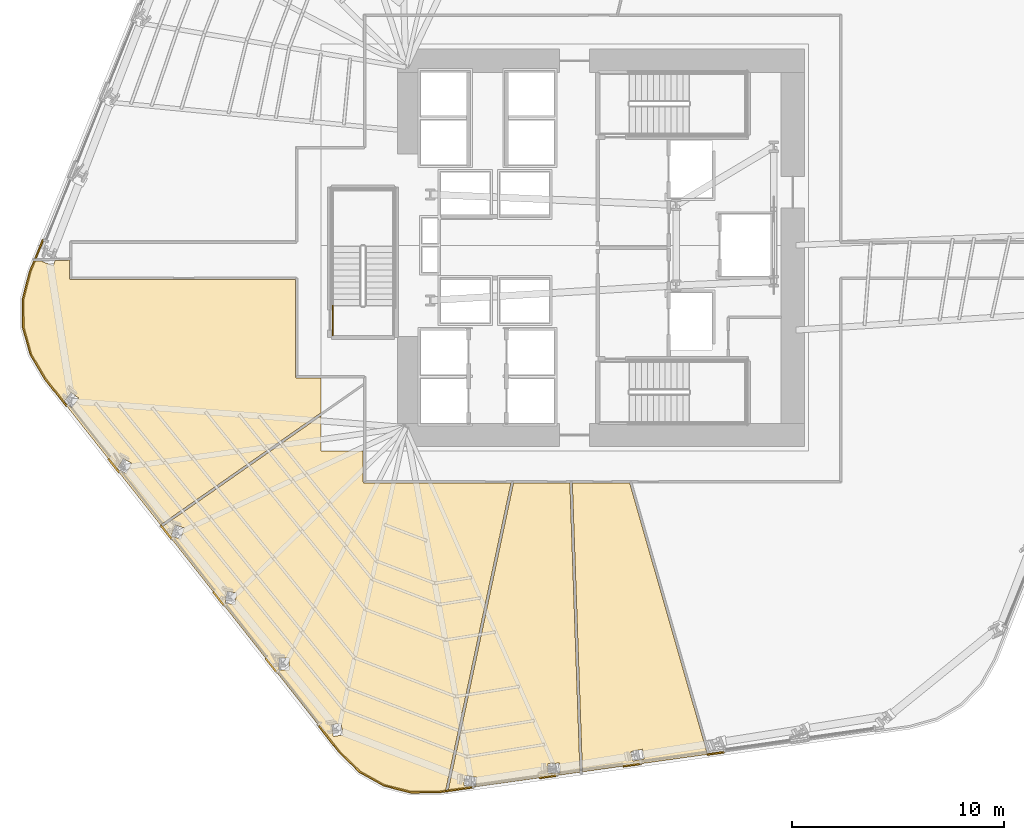
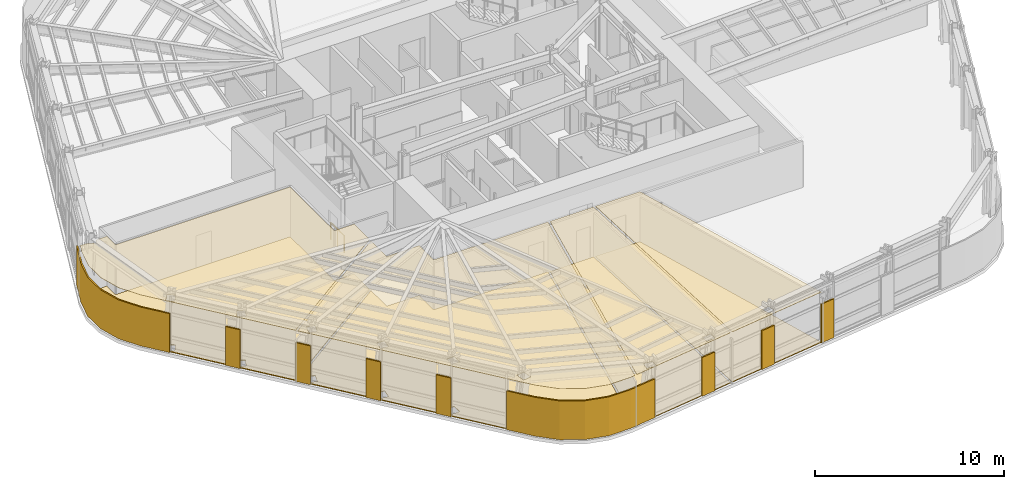
# One storey, part 10 of 16: 17 coverings, 1 railing.
"""IFC4 building model written with IfcOpenShell, lengths in metres."""

from ifc_helpers import new_model, si_unit, direction, frame, origin, origin_2d, place, context, subcontext, project, spatial, polyline, circle, outline, extrude, material, layer, layer_set, type_object, element, save


model = new_model("IFC4")

# Units and contexts
model_context = context("Model", 3, precision=1e-05, world=origin(), true_north=direction((0.0, 1.0)))
body_context = subcontext(model_context, "Body", "Model", "MODEL_VIEW")
ifc_project = project(units=[si_unit("LENGTHUNIT", "METRE"), si_unit("AREAUNIT", "SQUARE_METRE"), si_unit("VOLUMEUNIT", "CUBIC_METRE"), si_unit("PLANEANGLEUNIT", "RADIAN"), si_unit("MASSUNIT", "GRAM", prefix="KILO")], contexts=[model_context])

# Site, building, storey
site_placement = place(None, origin())
site = spatial("IfcSite", under=ifc_project, at=site_placement, CompositionType="ELEMENT")
building_placement = place(site_placement, origin())
building = spatial("IfcBuilding", under=site, at=building_placement, Name="Valkerne Bourse Tower", CompositionType="ELEMENT")
storey_placement = place(building_placement, frame((0.0, 0.0, 58.199951171875)))
storey = spatial("IfcBuildingStorey", under=building, at=storey_placement, Name="L14", CompositionType="ELEMENT", Elevation=58.199951171875)

# Coverings
ifc_material_1 = material(Name="Mineral Fiber Acoustic Ceiling Tile", Category="acoustic")
ifc_layer_1 = layer(ifc_material_1, 0.02490234375)
ifc_layer_set_1 = layer_set([ifc_layer_1], Name="Mineral Fiber Acoustic Ceiling Tile")
covering_type_1 = type_object("IfcCoveringType", Name="COV-CEIL-ACT", PredefinedType="CEILING", material=ifc_layer_set_1)
covering_1_placement = place(storey_placement, frame((0.0, 0.0, 3.22998046875)))
element("IfcCovering", 1, at=covering_1_placement, inside=storey, type_object=covering_type_1, Name="L14 Suspended Ceiling 03", PredefinedType="CEILING", context=body_context, shape_type="SweptSolid", body=[
    extrude(outline(polyline([(48.155517578125, 15.781005859375), (51.825439453125, 2.98291015625), (45.926513671875, 2.159423828125), (45.45068359375, 15.781005859375), (48.155517578125, 15.781005859375)]), holes=[polyline([(48.30908203125, 2.66650390625), (48.85107421875, 2.781005859375), (48.7568359375, 3.228759765625), (48.75341796875, 3.228515625), (48.21142578125, 3.114013671875), (48.3056640625, 2.666259765625), (48.30908203125, 2.66650390625)])]), origin(), (0.0, 0.0, 1.0), 0.025146484375),
])
covering_2_placement = place(storey_placement, frame((0.0, 0.0, 3.22998046875)))
element("IfcCovering", 2, at=covering_2_placement, inside=storey, type_object=covering_type_1, Name="L14 Suspended Ceiling 04", PredefinedType="CEILING", context=body_context, shape_type="SweptSolid", body=[
    extrude(outline(polyline([(45.332763671875, 15.781005859375), (45.80908203125, 2.14306640625), (39.59228515625, 1.275390625), (42.675537109375, 15.781005859375), (45.332763671875, 15.781005859375)]), holes=[polyline([(40.935791015625, 1.9140625), (40.93212890625, 1.9150390625), (40.381591796875, 1.971435546875), (40.333984375, 1.5166015625), (40.337890625, 1.515380859375), (40.88818359375, 1.458984375), (40.935791015625, 1.9140625)]), polyline([(44.85107421875, 2.57275390625), (44.847412109375, 2.572998046875), (44.29443359375, 2.547119140625), (44.315185546875, 2.090087890625), (44.318603515625, 2.089599609375), (44.871826171875, 2.115478515625), (44.85107421875, 2.57275390625)])]), origin(), (0.0, 0.0, 1.0), 0.025146484375),
])
covering_3_placement = place(storey_placement, frame((0.0, 0.0, 3.22998046875)))
element("IfcCovering", 3, at=covering_3_placement, inside=storey, type_object=covering_type_1, Name="L14 Suspended Ceiling 05", PredefinedType="CEILING", context=body_context, shape_type="SweptSolid", body=[
    extrude(outline(polyline([(19.55419921875, 23.122314453125), (19.540283203125, 24.44189453125), (19.870849609375, 25.72900390625), (20.081298828125, 26.24853515625), (20.451416015625, 26.2587890625), (20.44140625, 26.232421875), (20.44140625, 26.228759765625), (20.9619140625, 26.032470703125), (21.0546875, 26.275634765625), (21.73095703125, 26.29443359375), (21.731201171875, 25.445556640625), (21.7490234375, 25.403076171875), (21.79541015625, 25.381103515625), (32.381103515625, 25.381103515625), (32.381103515625, 20.79931640625), (32.390869140625, 20.76416015625), (32.414794921875, 20.740478515625), (32.449462890625, 20.73095703125), (33.60009765625, 20.73095703125), (33.60009765625, 19.103515625), (26.025146484375, 13.808837890625), (20.58544921875, 20.70751953125), (19.9091796875, 21.851318359375), (19.55419921875, 23.122314453125)]), holes=[polyline([(24.658203125, 16.729248046875), (24.252685546875, 16.93798828125), (23.99609375, 16.4453125), (23.99755859375, 16.44189453125), (24.4033203125, 16.2333984375), (24.65966796875, 16.72607421875), (24.658203125, 16.729248046875)]), polyline([(22.169189453125, 19.7861328125), (22.168212890625, 19.789794921875), (21.798095703125, 20.05615234375), (21.47119140625, 19.607421875), (21.472412109375, 19.603515625), (21.84228515625, 19.33740234375), (22.169189453125, 19.7861328125)])]), origin(), (0.0, 0.0, 1.0), 0.025146484375),
])
covering_4_placement = place(storey_placement, frame((0.0, 0.0, 3.22998046875)))
element("IfcCovering", 4, at=covering_4_placement, inside=storey, type_object=covering_type_1, Name="L14 Suspended Ceiling 06", PredefinedType="CEILING", context=body_context, shape_type="SweptSolid", body=[
    extrude(outline(polyline([(36.561279296875, 1.530517578125), (35.41162109375, 2.17822265625), (34.462158203125, 3.1083984375), (26.098388671875, 13.716064453125), (33.60009765625, 18.959716796875), (33.60009765625, 17.300048828125), (35.5810546875, 17.300048828125), (35.5810546875, 15.849609375), (35.59033203125, 15.81494140625), (35.614013671875, 15.791015625), (35.6494140625, 15.781005859375), (42.554931640625, 15.781005859375), (39.468017578125, 1.25830078125), (39.168701171875, 1.21630859375), (37.83935546875, 1.202392578125), (36.561279296875, 1.530517578125)]), holes=[polyline([(34.541259765625, 4.451416015625), (34.5380859375, 4.453369140625), (34.088134765625, 4.37890625), (34.175537109375, 3.83056640625), (34.178955078125, 3.82861328125), (34.62890625, 3.903076171875), (34.541259765625, 4.451416015625)]), polyline([(32.077880859375, 7.531982421875), (32.074951171875, 7.5341796875), (31.618896484375, 7.52783203125), (31.623779296875, 6.972412109375), (31.626708984375, 6.97021484375), (32.082763671875, 6.9765625), (32.077880859375, 7.531982421875)]), polyline([(29.6123046875, 10.60302734375), (29.60986328125, 10.605712890625), (29.15869140625, 10.672607421875), (29.07421875, 10.12353515625), (29.07666015625, 10.12109375), (29.52783203125, 10.053955078125), (29.6123046875, 10.60302734375)]), polyline([(27.140380859375, 13.66650390625), (27.138427734375, 13.66943359375), (26.70458984375, 13.81005859375), (26.530517578125, 13.282470703125), (26.53271484375, 13.279541015625), (26.966552734375, 13.138916015625), (27.140380859375, 13.66650390625)])]), origin(), (0.0, 0.0, 1.0), 0.025146484375),
])
ifc_material_2 = material(Name="Bronze Anodised Aluminium AA 6063-T6", Category="aluminium")
ifc_layer_2 = layer(ifc_material_2, 0.06005859375)
ifc_layer_set_2 = layer_set([ifc_layer_2], Name="Bronze Anodised Aluminium AA 6063-T6")
covering_type_2 = type_object("IfcCoveringType", Name="COV-CRN-ALUM", PredefinedType="CLADDING", material=ifc_layer_set_2)
covering_5_placement = place(storey_placement, origin())
element("IfcCovering", 5, at=covering_5_placement, inside=storey, type_object=covering_type_2, Name="L14 Wind-Shaped Corner Aluminium Cladding 03", PredefinedType="CLADDING", context=body_context, shape_type="SweptSolid", body=[
    extrude(outline(polyline([(51.818603515625, 2.9375), (51.80712890625, 3.0166015625), (52.63916015625, 3.1328125), (52.650390625, 3.053466796875), (51.818603515625, 2.9375)])), origin(), (0.0, 0.0, 1.0), 2.5),
])
covering_6_placement = place(storey_placement, origin())
element("IfcCovering", 6, at=covering_6_placement, inside=storey, type_object=covering_type_2, Name="L14 Wind-Shaped Corner Aluminium Cladding 04", PredefinedType="CLADDING", context=body_context, shape_type="SweptSolid", body=[
    extrude(outline(polyline([(47.86083984375, 2.385009765625), (47.849609375, 2.46435546875), (48.681396484375, 2.580322265625), (48.69287109375, 2.501220703125), (47.86083984375, 2.385009765625)])), origin(), (0.0, 0.0, 1.0), 2.5),
])
covering_7_placement = place(storey_placement, origin())
element("IfcCovering", 7, at=covering_7_placement, inside=storey, type_object=covering_type_2, Name="L14 Wind-Shaped Corner Aluminium Cladding 05", PredefinedType="CLADDING", context=body_context, shape_type="SweptSolid", body=[
    extrude(outline(polyline([(43.9033203125, 1.832763671875), (43.89208984375, 1.911865234375), (44.723876953125, 2.028076171875), (44.735107421875, 1.94873046875), (43.9033203125, 1.832763671875)])), origin(), (0.0, 0.0, 1.0), 2.5),
])
covering_8_placement = place(storey_placement, origin())
element("IfcCovering", 8, at=covering_8_placement, inside=storey, type_object=covering_type_2, Name="L14 Wind-Shaped Corner Aluminium Cladding 06", PredefinedType="CLADDING", context=body_context, shape_type="SweptSolid", body=[
    extrude(outline(polyline([(39.171875, 1.17236328125), (37.833984375, 1.158447265625), (36.544921875, 1.489501953125), (35.385009765625, 2.142822265625), (34.42919921875, 3.0791015625), (33.425537109375, 4.35205078125), (33.488525390625, 4.4013671875), (34.489013671875, 3.132568359375), (35.43359375, 2.20751953125), (36.574951171875, 1.564208984375), (37.84375, 1.238525390625), (39.166015625, 1.25244140625), (40.76611328125, 1.4755859375), (40.77734375, 1.396484375), (39.171875, 1.17236328125)])), origin(), (0.0, 0.0, 1.0), 2.5),
])
covering_9_placement = place(storey_placement, origin())
element("IfcCovering", 9, at=covering_9_placement, inside=storey, type_object=covering_type_2, Name="L14 Wind-Shaped Corner Aluminium Cladding 07", PredefinedType="CLADDING", context=body_context, shape_type="SweptSolid", body=[
    extrude(outline(polyline([(30.951416015625, 7.489990234375), (31.014404296875, 7.539306640625), (31.534423828125, 6.879638671875), (31.471435546875, 6.830322265625), (30.951416015625, 7.489990234375)])), origin(), (0.0, 0.0, 1.0), 2.5),
])
covering_10_placement = place(storey_placement, origin())
element("IfcCovering", 10, at=covering_10_placement, inside=storey, type_object=covering_type_2, Name="L14 Wind-Shaped Corner Aluminium Cladding 08", PredefinedType="CLADDING", context=body_context, shape_type="SweptSolid", body=[
    extrude(outline(polyline([(28.477294921875, 10.627685546875), (28.5400390625, 10.67724609375), (29.060302734375, 10.017578125), (28.997314453125, 9.96826171875), (28.477294921875, 10.627685546875)])), origin(), (0.0, 0.0, 1.0), 2.5),
])
covering_11_placement = place(storey_placement, origin())
element("IfcCovering", 11, at=covering_11_placement, inside=storey, type_object=covering_type_2, Name="L14 Wind-Shaped Corner Aluminium Cladding 09", PredefinedType="CLADDING", context=body_context, shape_type="SweptSolid", body=[
    extrude(outline(polyline([(26.0029296875, 13.765625), (26.06591796875, 13.815185546875), (26.5859375, 13.155517578125), (26.523193359375, 13.106201171875), (26.0029296875, 13.765625)])), origin(), (0.0, 0.0, 1.0), 2.5),
])
covering_12_placement = place(storey_placement, origin())
element("IfcCovering", 12, at=covering_12_placement, inside=storey, type_object=covering_type_2, Name="L14 Wind-Shaped Corner Aluminium Cladding 10", PredefinedType="CLADDING", context=body_context, shape_type="SweptSolid", body=[
    extrude(outline(polyline([(23.52880859375, 16.90380859375), (23.591796875, 16.952880859375), (24.11181640625, 16.29345703125), (24.048828125, 16.244140625), (23.52880859375, 16.90380859375)])), origin(), (0.0, 0.0, 1.0), 2.5),
])
covering_13_placement = place(storey_placement, origin())
element("IfcCovering", 13, at=covering_13_placement, inside=storey, type_object=covering_type_2, Name="L14 Wind-Shaped Corner Aluminium Cladding 11", PredefinedType="CLADDING", context=body_context, shape_type="SweptSolid", body=[
    extrude(outline(polyline([(20.54931640625, 20.6826171875), (19.868408203125, 21.833984375), (19.51025390625, 23.1162109375), (19.496337890625, 24.447265625), (19.8291015625, 25.742919921875), (20.450927734375, 27.27783203125), (20.525146484375, 27.248046875), (19.905029296875, 25.7177734375), (19.576416015625, 24.4375), (19.590087890625, 23.12744140625), (19.9423828125, 21.865478515625), (20.615234375, 20.72802734375), (21.6376953125, 19.431396484375), (21.57470703125, 19.382080078125), (20.54931640625, 20.6826171875)])), origin(), (0.0, 0.0, 1.0), 2.5),
])
ifc_material_3 = material(Name="Galvanised Painted Steel", Category="steel")
ifc_layer_3 = layer(ifc_material_3, 0.044921875)
ifc_layer_set_3 = layer_set([ifc_layer_3], Name="Galvanised Painted Steel")
covering_type_3 = type_object("IfcCoveringType", Name="COV-FLR-RAF", PredefinedType="FLOORING", material=ifc_layer_set_3)
covering_14_placement = place(storey_placement, origin())
element("IfcCovering", 14, at=covering_14_placement, inside=storey, type_object=covering_type_3, Name="L14 Floor Finish 05", PredefinedType="FLOORING", context=body_context, shape_type="SweptSolid", body=[
    extrude(outline(polyline([(19.55419921875, 23.122314453125), (19.540283203125, 24.44189453125), (19.870849609375, 25.72900390625), (20.081298828125, 26.24853515625), (20.451416015625, 26.2587890625), (20.44140625, 26.232421875), (20.44140625, 26.228759765625), (20.9619140625, 26.032470703125), (21.0546875, 26.275634765625), (21.73095703125, 26.29443359375), (21.731201171875, 25.445556640625), (21.7490234375, 25.403076171875), (21.79541015625, 25.381103515625), (32.381103515625, 25.381103515625), (32.381103515625, 20.79931640625), (32.390869140625, 20.76416015625), (32.414794921875, 20.740478515625), (32.449462890625, 20.73095703125), (33.60009765625, 20.73095703125), (33.60009765625, 19.103515625), (26.025146484375, 13.808837890625), (20.58544921875, 20.70751953125), (19.9091796875, 21.851318359375), (19.55419921875, 23.122314453125)]), holes=[polyline([(24.658203125, 16.729248046875), (24.252685546875, 16.93798828125), (23.99609375, 16.4453125), (23.99755859375, 16.44189453125), (24.4033203125, 16.2333984375), (24.65966796875, 16.72607421875), (24.658203125, 16.729248046875)]), polyline([(22.169189453125, 19.7861328125), (22.168212890625, 19.789794921875), (21.798095703125, 20.05615234375), (21.47119140625, 19.607421875), (21.472412109375, 19.603515625), (21.84228515625, 19.33740234375), (22.169189453125, 19.7861328125)])]), origin(), (0.0, 0.0, 1.0), 0.045166015625),
])
covering_15_placement = place(storey_placement, origin())
element("IfcCovering", 15, at=covering_15_placement, inside=storey, type_object=covering_type_3, Name="L14 Floor Finish 06", PredefinedType="FLOORING", context=body_context, shape_type="SweptSolid", body=[
    extrude(outline(polyline([(36.561279296875, 1.530517578125), (35.41162109375, 2.17822265625), (34.462158203125, 3.1083984375), (26.098388671875, 13.716064453125), (33.60009765625, 18.959716796875), (33.60009765625, 17.300048828125), (35.5810546875, 17.300048828125), (35.5810546875, 15.849609375), (35.59033203125, 15.81494140625), (35.614013671875, 15.791015625), (35.6494140625, 15.781005859375), (42.554931640625, 15.781005859375), (39.468017578125, 1.25830078125), (39.168701171875, 1.21630859375), (37.83935546875, 1.202392578125), (36.561279296875, 1.530517578125)]), holes=[polyline([(34.541259765625, 4.451416015625), (34.5380859375, 4.453369140625), (34.088134765625, 4.37890625), (34.175537109375, 3.83056640625), (34.178955078125, 3.82861328125), (34.62890625, 3.903076171875), (34.541259765625, 4.451416015625)]), polyline([(32.077880859375, 7.531982421875), (32.074951171875, 7.5341796875), (31.618896484375, 7.52783203125), (31.623779296875, 6.972412109375), (31.626708984375, 6.97021484375), (32.082763671875, 6.9765625), (32.077880859375, 7.531982421875)]), polyline([(29.6123046875, 10.60302734375), (29.60986328125, 10.605712890625), (29.15869140625, 10.672607421875), (29.07421875, 10.12353515625), (29.07666015625, 10.12109375), (29.52783203125, 10.053955078125), (29.6123046875, 10.60302734375)]), polyline([(27.140380859375, 13.66650390625), (27.138427734375, 13.66943359375), (26.70458984375, 13.81005859375), (26.530517578125, 13.282470703125), (26.53271484375, 13.279541015625), (26.966552734375, 13.138916015625), (27.140380859375, 13.66650390625)])]), origin(), (0.0, 0.0, 1.0), 0.045166015625),
])
ifc_material_4 = material(Name="Polished Granite Stone", Category="masonry")
ifc_layer_4 = layer(ifc_material_4, 0.030029296875)
ifc_layer_set_4 = layer_set([ifc_layer_4], Name="Polished Granite Stone")
covering_type_4 = type_object("IfcCoveringType", Name="COV-FLR-TERRAZZO", PredefinedType="FLOORING", material=ifc_layer_set_4)
covering_16_placement = place(storey_placement, origin())
element("IfcCovering", 16, at=covering_16_placement, inside=storey, type_object=covering_type_4, Name="L14 Floor Finish 03", PredefinedType="FLOORING", context=body_context, shape_type="SweptSolid", body=[
    extrude(outline(polyline([(48.155517578125, 15.781005859375), (51.825439453125, 2.98291015625), (45.926513671875, 2.159423828125), (45.45068359375, 15.781005859375), (48.155517578125, 15.781005859375)]), holes=[polyline([(48.30908203125, 2.66650390625), (48.85107421875, 2.781005859375), (48.7568359375, 3.228759765625), (48.75341796875, 3.228515625), (48.21142578125, 3.114013671875), (48.3056640625, 2.666259765625), (48.30908203125, 2.66650390625)])]), origin(), (0.0, 0.0, 1.0), 0.030029296875),
])
covering_17_placement = place(storey_placement, origin())
element("IfcCovering", 17, at=covering_17_placement, inside=storey, type_object=covering_type_4, Name="L14 Floor Finish 04", PredefinedType="FLOORING", context=body_context, shape_type="SweptSolid", body=[
    extrude(outline(polyline([(45.332763671875, 15.781005859375), (45.80908203125, 2.14306640625), (39.59228515625, 1.275390625), (42.675537109375, 15.781005859375), (45.332763671875, 15.781005859375)]), holes=[polyline([(40.935791015625, 1.9140625), (40.93212890625, 1.9150390625), (40.381591796875, 1.971435546875), (40.333984375, 1.5166015625), (40.337890625, 1.515380859375), (40.88818359375, 1.458984375), (40.935791015625, 1.9140625)]), polyline([(44.85107421875, 2.57275390625), (44.847412109375, 2.572998046875), (44.29443359375, 2.547119140625), (44.315185546875, 2.090087890625), (44.318603515625, 2.089599609375), (44.871826171875, 2.115478515625), (44.85107421875, 2.57275390625)])]), origin(), (0.0, 0.0, 1.0), 0.030029296875),
])

# Railing
railing_type = type_object("IfcRailingType", Name="RLG-ST-GUARD-1120", PredefinedType="GUARDRAIL", material=ifc_material_3)
railing_placement = place(storey_placement, frame((34.14990234375, 22.75, 0.0)))
element("IfcRailing", 18, at=railing_placement, inside=storey, type_object=railing_type, Name="L14 ST-3 stair guard 9", PredefinedType="GUARDRAIL", context=body_context, shape_type="SweptSolid", body=[
    extrude(circle(Radius=0.02392578125, at=origin_2d()), frame((0.0, 0.0, 1.09619140625), z_axis=(0.0, 1.0, 0.0), x_axis=(-1.0, 0.0, 0.0)), (0.0, 0.0, 1.0), 1.39990234375),
    extrude(circle(Radius=0.02099609375, at=origin_2d()), origin(), (0.0, 0.0, 1.0), 1.072021484375),
    extrude(circle(Radius=0.02099609375, at=origin_2d()), frame((0.0, 0.699951171875, 0.0)), (0.0, 0.0, 1.0), 1.072021484375),
    extrude(circle(Radius=0.02099609375, at=origin_2d()), frame((0.0, 1.39990234375, 0.0)), (0.0, 0.0, 1.0), 1.072021484375),
])

save(model, "model.ifc")
